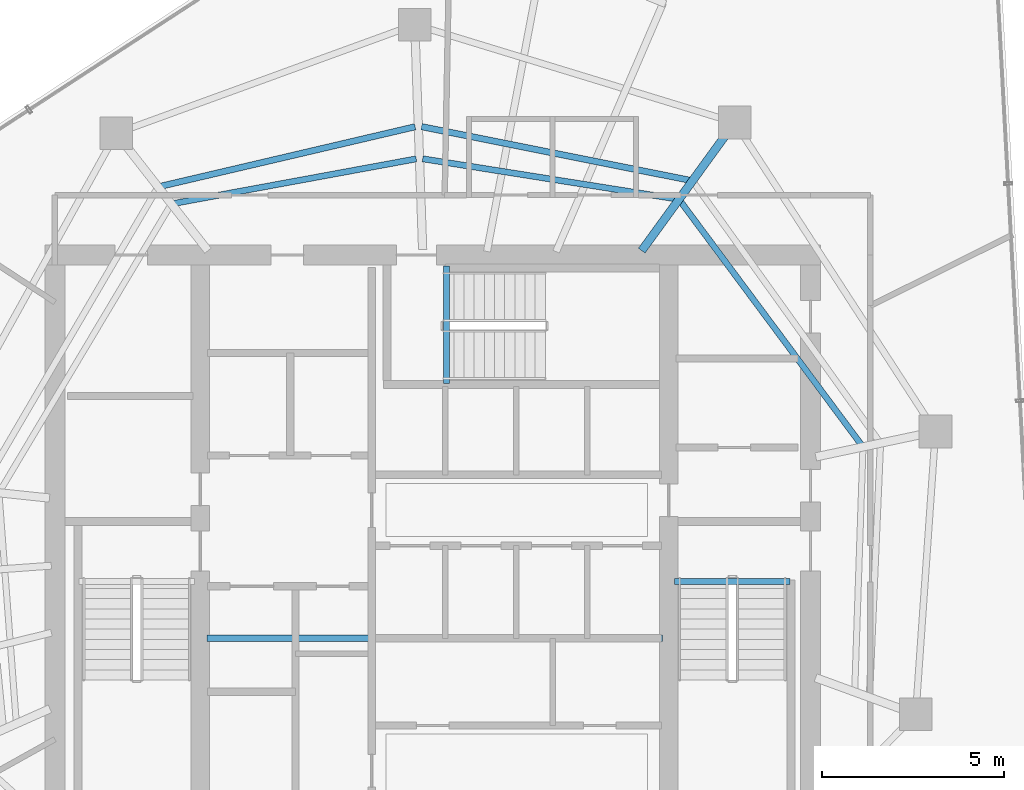
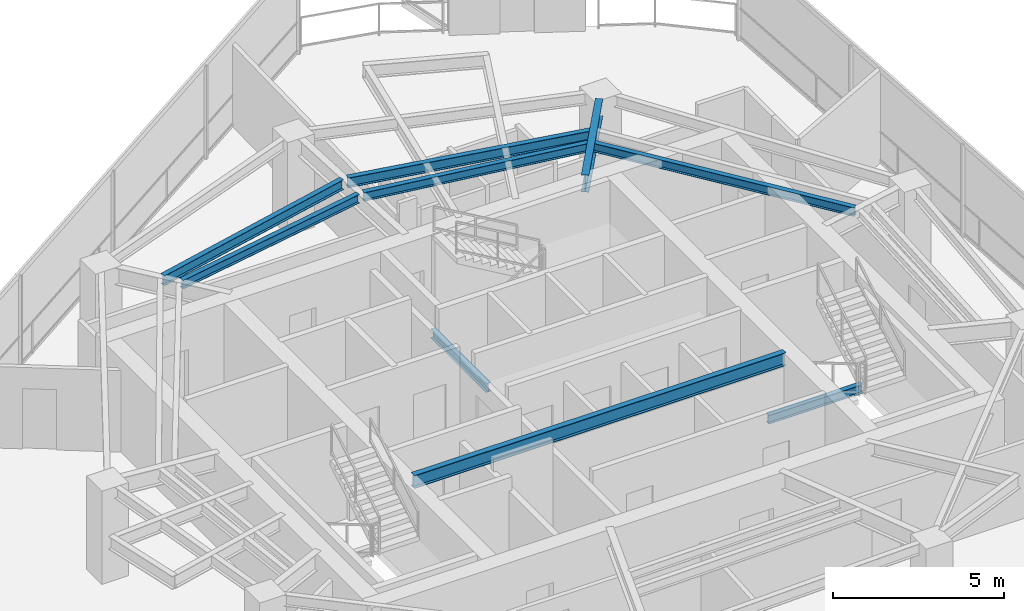
# One storey, part 6 of 18: 9 beams.
"""IFC4 building model written with IfcOpenShell, lengths in metres."""

from ifc_helpers import new_model, si_unit, direction, frame, origin, origin_2d, place, context, subcontext, project, spatial, i_section, extrude, material, material_profile, profile_set, type_object, element, save


model = new_model("IFC4")

# Units and contexts
model_context = context("Model", 3, precision=1e-05, world=origin(), true_north=direction((0.0, 1.0)))
body_context = subcontext(model_context, "Body", "Model", "MODEL_VIEW")
ifc_project = project(units=[si_unit("LENGTHUNIT", "METRE"), si_unit("AREAUNIT", "SQUARE_METRE"), si_unit("VOLUMEUNIT", "CUBIC_METRE"), si_unit("PLANEANGLEUNIT", "RADIAN"), si_unit("MASSUNIT", "GRAM", prefix="KILO")], contexts=[model_context])

# Site, building, storey
site_placement = place(None, origin())
site = spatial("IfcSite", under=ifc_project, at=site_placement, CompositionType="ELEMENT")
building_placement = place(site_placement, origin())
building = spatial("IfcBuilding", under=site, at=building_placement, Name="Qarnah Convention Tower", CompositionType="ELEMENT")
storey_placement = place(building_placement, frame((0.0, 0.0, 191.39990234375)))
storey = spatial("IfcBuildingStorey", under=building, at=storey_placement, Name="L51", CompositionType="ELEMENT", Elevation=191.39990234375)

# Beams
ifc_material = material(Name="Structural steel S355JR", Category="steel")
ifc_material_profile_1 = material_profile(ifc_material, i_section(OverallWidth=0.19189453125, OverallDepth=0.464111328125, WebThickness=0.010986328125, FlangeThickness=0.01806640625, at=origin_2d()), Name="W460X89")
ifc_profile_set_1 = profile_set([ifc_material_profile_1], Name="Structural steel S355JR")
beam_type_1 = type_object("IfcBeamType", Name="BM-CANT-W460A", PredefinedType="BEAM", material=ifc_profile_set_1)
beam_1_placement = place(storey_placement, frame((30.97998046875, 23.64990234375, 3.088134765625), z_axis=(1.0, 0.0, 0.0), x_axis=(0.0, 1.0, 0.0)))
element("IfcBeam", 1, at=beam_1_placement, inside=storey, type_object=beam_type_1, Name="L51 beam BM-L51-KC1", PredefinedType="BEAM", context=body_context, shape_type="SweptSolid", body=[
    extrude(i_section(OverallWidth=0.19189453125, OverallDepth=0.464111328125, WebThickness=0.010986328125, FlangeThickness=0.01806640625, at=origin_2d()), origin(), (0.0, 0.0, 1.0), 12.5400390625),
])
ifc_material_profile_2 = material_profile(ifc_material, i_section(OverallWidth=0.166015625, OverallDepth=0.31201171875, WebThickness=0.007080078125, FlangeThickness=0.010986328125, at=origin_2d()), Name="W310X45")
ifc_profile_set_2 = profile_set([ifc_material_profile_2], Name="Structural steel S355JR")
beam_type_2 = type_object("IfcBeamType", Name="BM-JST-W310", PredefinedType="JOIST", material=ifc_profile_set_2)
beam_2_placement = place(storey_placement, frame((43.860107421875, 25.217041015625, -0.156005859375), z_axis=(1.0, 0.0, 0.0), x_axis=(0.0, 1.0, 0.0)))
element("IfcBeam", 2, at=beam_2_placement, inside=storey, type_object=beam_type_2, Name="L51 stair landing trimmer beam BM-L51-ST2-TRM", PredefinedType="BEAM", context=body_context, shape_type="SweptSolid", body=[
    extrude(i_section(OverallWidth=0.166015625, OverallDepth=0.31201171875, WebThickness=0.007080078125, FlangeThickness=0.010986328125, at=origin_2d()), origin(), (0.0, 0.0, 1.0), 3.179931640625),
])
beam_3_placement = place(storey_placement, frame((37.5830078125, 30.659912109375, -0.156005859375), z_axis=(0.0, 1.0, 0.0), x_axis=(-1.0, 0.0, 0.0)))
element("IfcBeam", 3, at=beam_3_placement, inside=storey, type_object=beam_type_2, Name="L51 stair landing trimmer beam BM-L51-ST3-TRM", PredefinedType="BEAM", context=body_context, shape_type="SweptSolid", body=[
    extrude(i_section(OverallWidth=0.166015625, OverallDepth=0.31201171875, WebThickness=0.007080078125, FlangeThickness=0.010986328125, at=origin_2d()), origin(), (0.0, 0.0, 1.0), 3.239990234375),
])
beam_4_placement = place(storey_placement, frame((48.990966796875, 28.989990234375, 3.1640625), z_axis=(-0.596497073745, 0.802615250922, 0.0), x_axis=(-0.802615250922, -0.596497073745, 0.0)))
element("IfcBeam", 4, at=beam_4_placement, inside=storey, type_object=beam_type_2, Name="L51 joist BM-L51-IJST-01", PredefinedType="JOIST", context=body_context, shape_type="SweptSolid", body=[
    extrude(i_section(OverallWidth=0.166015625, OverallDepth=0.31201171875, WebThickness=0.007080078125, FlangeThickness=0.010986328125, at=origin_2d()), origin(), (0.0, 0.0, 1.0), 8.310302734375),
])
beam_5_placement = place(storey_placement, frame((43.89111328125, 35.74609375, 3.1640625), z_axis=(-0.987698054277, 0.156373122936, 0.0), x_axis=(-0.156373122936, -0.987698054277, 0.0)))
element("IfcBeam", 5, at=beam_5_placement, inside=storey, type_object=beam_type_2, Name="L51 joist BM-L51-IJST-02", PredefinedType="JOIST", context=body_context, shape_type="SweptSolid", body=[
    extrude(i_section(OverallWidth=0.166015625, OverallDepth=0.31201171875, WebThickness=0.007080078125, FlangeThickness=0.010986328125, at=origin_2d()), origin(), (0.0, 0.0, 1.0), 7.0537109375),
])
beam_6_placement = place(storey_placement, frame((36.74609375, 36.846923828125, 3.1640625), z_axis=(-0.983488206865, -0.180972227031, 0.0), x_axis=(0.180972227031, -0.983488206865, 0.0)))
element("IfcBeam", 6, at=beam_6_placement, inside=storey, type_object=beam_type_2, Name="L51 joist BM-L51-IJST-03", PredefinedType="JOIST", context=body_context, shape_type="SweptSolid", body=[
    extrude(i_section(OverallWidth=0.166015625, OverallDepth=0.31201171875, WebThickness=0.007080078125, FlangeThickness=0.010986328125, at=origin_2d()), origin(), (0.0, 0.0, 1.0), 6.7626953125),
])
ifc_material_profile_3 = material_profile(ifc_material, i_section(OverallWidth=0.172119140625, OverallDepth=0.35595703125, WebThickness=0.007080078125, FlangeThickness=0.011962890625, at=origin_2d()), Name="W360X51")
ifc_profile_set_3 = profile_set([ifc_material_profile_3], Name="Structural steel S355JR")
beam_type_3 = type_object("IfcBeamType", Name="BM-JST-W360", PredefinedType="JOIST", material=ifc_profile_set_3)
beam_7_placement = place(storey_placement, frame((44.262939453125, 36.260986328125, 3.14208984375), z_axis=(-0.980638100226, 0.195828793556, 0.0), x_axis=(-0.195828793556, -0.980638100226, 0.0)))
element("IfcBeam", 7, at=beam_7_placement, inside=storey, type_object=beam_type_3, Name="L51 joist BM-L51-SJST-02", PredefinedType="JOIST", context=body_context, shape_type="SweptSolid", body=[
    extrude(i_section(OverallWidth=0.172119140625, OverallDepth=0.35595703125, WebThickness=0.007080078125, FlangeThickness=0.011962890625, at=origin_2d()), origin(), (0.0, 0.0, 1.0), 7.516357421875),
])
beam_8_placement = place(storey_placement, frame((36.716064453125, 37.73095703125, 3.14208984375), z_axis=(-0.973703273154, -0.227819963676, 0.0), x_axis=(0.227819963676, -0.973703273154, 0.0)))
element("IfcBeam", 8, at=beam_8_placement, inside=storey, type_object=beam_type_3, Name="L51 joist BM-L51-SJST-03", PredefinedType="JOIST", context=body_context, shape_type="SweptSolid", body=[
    extrude(i_section(OverallWidth=0.172119140625, OverallDepth=0.35595703125, WebThickness=0.007080078125, FlangeThickness=0.011962890625, at=origin_2d()), origin(), (0.0, 0.0, 1.0), 7.1767578125),
])
ifc_material_profile_4 = material_profile(ifc_material, i_section(OverallWidth=0.22802734375, OverallDepth=0.60791015625, WebThickness=0.010986328125, FlangeThickness=0.01708984375, at=origin_2d()), Name="W610X113")
ifc_profile_set_4 = profile_set([ifc_material_profile_4], Name="Structural steel S355JR")
beam_type_4 = type_object("IfcBeamType", Name="BM-RAD-W610B", PredefinedType="BEAM", material=ifc_profile_set_4)
beam_9_placement = place(storey_placement, frame((42.955078125, 34.321044921875, 3.01611328125), z_axis=(0.587650613849, 0.809114797815, 0.0), x_axis=(-0.809114797815, 0.587650613849, 0.0)))
element("IfcBeam", 9, at=beam_9_placement, inside=storey, type_object=beam_type_4, Name="L51 beam BM-L51-RAD-02", PredefinedType="BEAM", context=body_context, shape_type="SweptSolid", body=[
    extrude(i_section(OverallWidth=0.22802734375, OverallDepth=0.60791015625, WebThickness=0.010986328125, FlangeThickness=0.01708984375, at=origin_2d()), origin(), (0.0, 0.0, 1.0), 3.928955078125),
])

save(model, "model.ifc")
